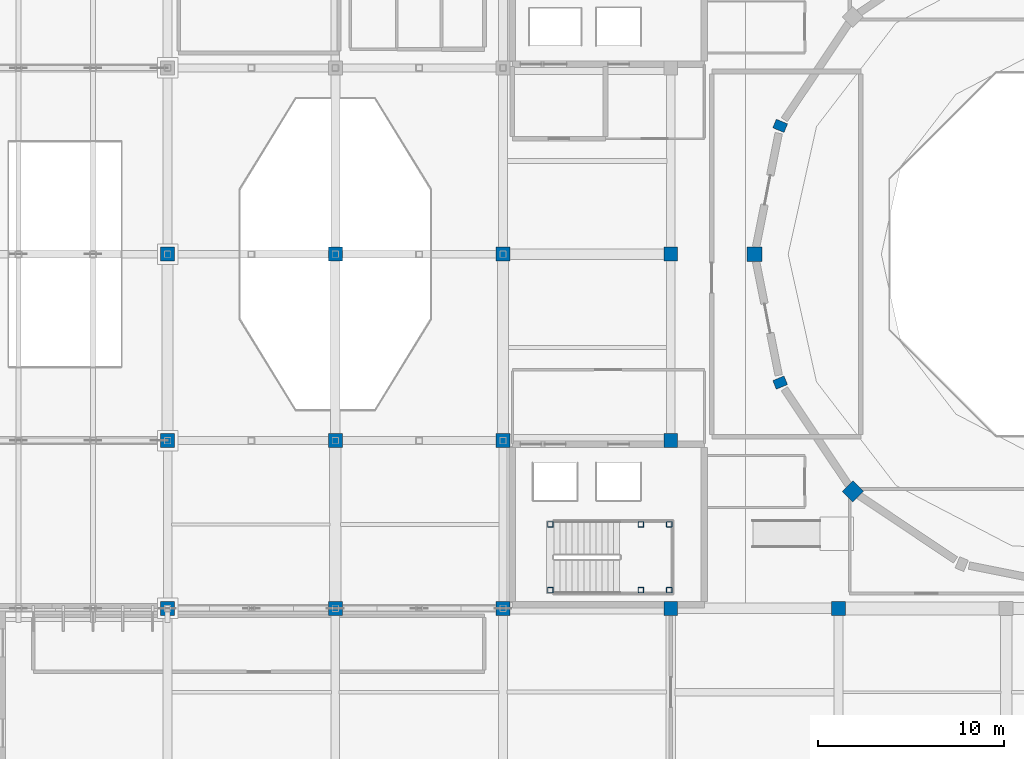
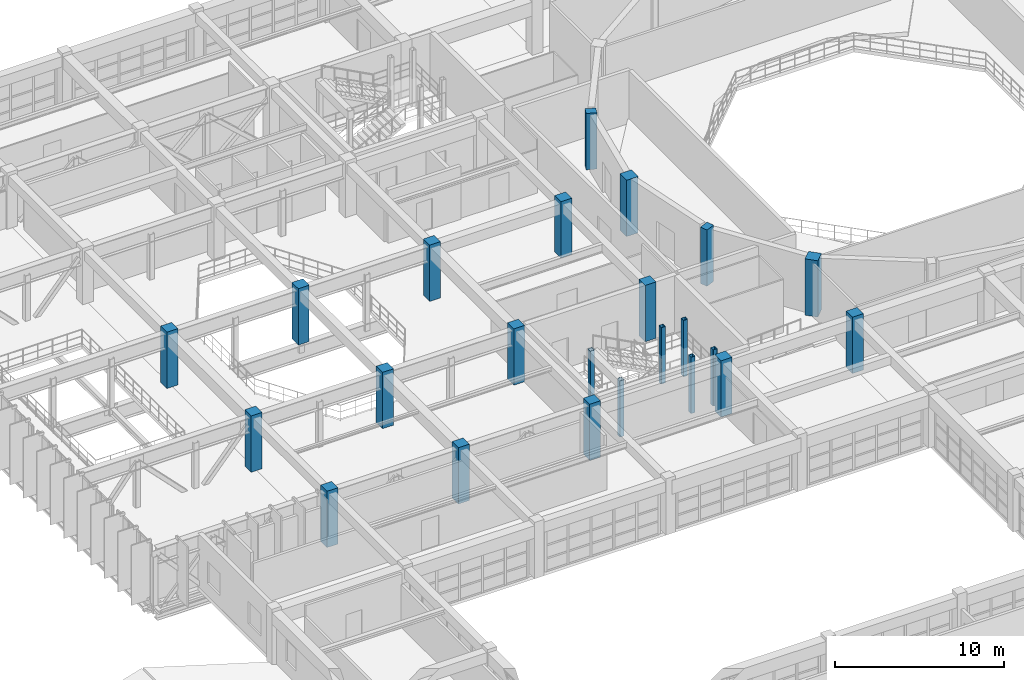
# One storey, part 3 of 130: 23 columns.
"""IFC4 building model written with IfcOpenShell, lengths in metres."""

from ifc_helpers import new_model, si_unit, direction, frame, origin, origin_2d, place, context, subcontext, project, spatial, rectangle, hollow_rectangle, extrude, material, material_profile, profile_set, type_object, element, save


model = new_model("IFC4")

# Units and contexts
model_context = context("Model", 3, precision=1e-05, world=origin(), true_north=direction((0.0, 1.0)))
body_context = subcontext(model_context, "Body", "Model", "MODEL_VIEW")
ifc_project = project(units=[si_unit("LENGTHUNIT", "METRE"), si_unit("AREAUNIT", "SQUARE_METRE"), si_unit("VOLUMEUNIT", "CUBIC_METRE"), si_unit("PLANEANGLEUNIT", "RADIAN"), si_unit("MASSUNIT", "GRAM", prefix="KILO")], contexts=[model_context])

# Site, building, storey
site_placement = place(None, origin())
site = spatial("IfcSite", under=ifc_project, at=site_placement, CompositionType="ELEMENT")
building_placement = place(site_placement, origin())
building = spatial("IfcBuilding", under=site, at=building_placement, Name="Miravela Opera House", CompositionType="ELEMENT")
storey_placement = place(building_placement, frame((0.0, 0.0, 9.52001953125)))
storey = spatial("IfcBuildingStorey", under=building, at=storey_placement, Name="L02", CompositionType="ELEMENT", Elevation=9.52001953125)

# Columns
ifc_material_1 = material(Name="Hollow structural steel ASTM A500 Gr. C", Category="steel")
ifc_material_profile_1 = material_profile(ifc_material_1, hollow_rectangle(XDim=0.300048828125, YDim=0.300048828125, WallThickness=0.01611328125, InnerFilletRadius=0.01611328125, OuterFilletRadius=0.031982421875, at=origin_2d()), Name="HSS300X300X16")
ifc_profile_set_1 = profile_set([ifc_material_profile_1])
column_type_1 = type_object("IfcColumnType", Name="STR-COL-HSS300", PredefinedType="COLUMN", material=ifc_profile_set_1)
for number, where, z_axis, x_axis, name in (
    (1, (47.5400390625, 37.97998046875, 0.0), (0.0, 0.0, 1.0), (1.0, 0.0, 0.0), "Stair K2 Landing Support Column 1 (L02)"),
    (2, (47.5400390625, 41.5, 0.0), (0.0, 0.0, 1.0), (1.0, 0.0, 0.0), "Stair K2 Landing Support Column 2 (L02)"),
    (3, (52.39990234375, 37.97998046875, 0.0), (0.0, 0.0, 1.0), (1.0, 0.0, 0.0), "Stair K2 Landing Support Column 3 (L02)"),
    (4, (52.39990234375, 41.5, 0.0), (0.0, 0.0, 1.0), (1.0, 0.0, 0.0), "Stair K2 Landing Support Column 4 (L02)"),
    (5, (53.919921875, 37.97998046875, 0.0), (0.0, 0.0, 1.0), (1.0, 0.0, 0.0), "Stair K2 Landing Support Column 5 (L02)"),
    (6, (53.919921875, 41.5, 0.0), (0.0, 0.0, 1.0), (1.0, 0.0, 0.0), "Stair K2 Landing Support Column 6 (L02)"),
):
    element("IfcColumn", number, at=place(storey_placement, frame(where, z_axis=z_axis, x_axis=x_axis)), inside=storey, type_object=column_type_1, Name=name, PredefinedType="COLUMN", context=body_context, shape_type="SweptSolid", body=[
        extrude(hollow_rectangle(XDim=0.300048828125, YDim=0.300048828125, WallThickness=0.01611328125, InnerFilletRadius=0.01611328125, OuterFilletRadius=0.031982421875, at=origin_2d()), origin(), (0.0, 0.0, 1.0), 4.080078125),
    ])
ifc_material_2 = material(Name="Concrete C35/45", Category="concrete")
ifc_material_profile_2 = material_profile(ifc_material_2, rectangle(XDim=0.75, YDim=0.75, at=origin_2d()), Name="RC-COL-750X750")
ifc_profile_set_2 = profile_set([ifc_material_profile_2])
column_type_2 = type_object("IfcColumnType", Name="STR-COL-RC750", PredefinedType="COLUMN", material=ifc_profile_set_2)
for number, where, z_axis, x_axis, name in (
    (7, (27.0, 37.0, 0.0), (0.0, 0.0, 1.0), (1.0, 0.0, 0.0), "Column C-4E (L02)"),
    (8, (27.0, 46.0, 0.0), (0.0, 0.0, 1.0), (1.0, 0.0, 0.0), "Column C-4F (L02)"),
    (9, (27.0, 56.0, 0.0), (0.0, 0.0, 1.0), (1.0, 0.0, 0.0), "Column C-4G (L02)"),
    (10, (36.0, 37.0, 0.0), (0.0, 0.0, 1.0), (1.0, 0.0, 0.0), "Column C-5E (L02)"),
    (11, (36.0, 46.0, 0.0), (0.0, 0.0, 1.0), (1.0, 0.0, 0.0), "Column C-5F (L02)"),
    (12, (36.0, 56.0, 0.0), (0.0, 0.0, 1.0), (1.0, 0.0, 0.0), "Column C-5G (L02)"),
    (13, (45.0, 37.0, 0.0), (0.0, 0.0, 1.0), (1.0, 0.0, 0.0), "Column C-6E (L02)"),
    (14, (45.0, 46.0, 0.0), (0.0, 0.0, 1.0), (1.0, 0.0, 0.0), "Column C-6F (L02)"),
    (15, (45.0, 56.0, 0.0), (0.0, 0.0, 1.0), (1.0, 0.0, 0.0), "Column C-6G (L02)"),
    (16, (54.0, 37.0, 0.0), (0.0, 0.0, 1.0), (1.0, 0.0, 0.0), "Column C-7E (L02)"),
    (17, (54.0, 46.0, 0.0), (0.0, 0.0, 1.0), (1.0, 0.0, 0.0), "Column C-7F (L02)"),
    (18, (54.0, 56.0, 0.0), (0.0, 0.0, 1.0), (1.0, 0.0, 0.0), "Column C-7G (L02)"),
    (19, (63.0, 37.0, 0.0), (0.0, 0.0, 1.0), (1.0, 0.0, 0.0), "Column C-8E (L02)"),
):
    element("IfcColumn", number, at=place(storey_placement, frame(where, z_axis=z_axis, x_axis=x_axis)), inside=storey, type_object=column_type_2, Name=name, PredefinedType="COLUMN", context=body_context, shape_type="SweptSolid", body=[
        extrude(rectangle(XDim=0.75, YDim=0.75, at=origin_2d()), origin(), (0.0, 0.0, 1.0), 4.080078125),
    ])
ifc_material_profile_3 = material_profile(ifc_material_2, rectangle(XDim=0.64990234375, YDim=0.5, at=origin_2d()), Name="RC-PIL-650X500")
ifc_profile_set_3 = profile_set([ifc_material_profile_3])
column_type_3 = type_object("IfcColumnType", Name="STR-PIL-RC650X500", PredefinedType="PILASTER", material=ifc_profile_set_3)
for number, where, z_axis, x_axis, name in (
    (20, (59.8701171875, 62.88818359375, 0.0), (0.0, 0.0, 1.0), (-0.923879532511, 0.382683432365, 0.0), "Auditorium Drum Column DC-08 (L02)"),
    (21, (59.8701171875, 49.11181640625, 0.0), (0.0, 0.0, 1.0), (-0.923879532511, -0.382683432365, 0.0), "Auditorium Drum Column DC-10 (L02)"),
):
    element("IfcColumn", number, at=place(storey_placement, frame(where, z_axis=z_axis, x_axis=x_axis)), inside=storey, type_object=column_type_3, Name=name, PredefinedType="PILASTER", context=body_context, shape_type="SweptSolid", body=[
        extrude(rectangle(XDim=0.64990234375, YDim=0.5, at=origin_2d()), origin(), (0.0, 0.0, 1.0), 4.080078125),
    ])
ifc_material_3 = material(Name="Concrete C40/50", Category="concrete")
ifc_material_profile_4 = material_profile(ifc_material_3, rectangle(XDim=0.800048828125, YDim=0.800048828125, at=origin_2d()), Name="RC-COL-800X800")
ifc_profile_set_4 = profile_set([ifc_material_profile_4])
column_type_4 = type_object("IfcColumnType", Name="STR-PIL-RC800", PredefinedType="PILASTER", material=ifc_profile_set_4)
for number, where, z_axis, x_axis, name in (
    (22, (58.5, 56.0, 0.0), (0.0, 0.0, 1.0), (-1.0, 0.0, 0.0), "Auditorium Drum Column DC-09 (L02)"),
    (23, (63.772216796875, 43.272216796875, 0.0), (0.0, 0.0, 1.0), (-0.707106781187, -0.707106781187, 0.0), "Auditorium Drum Column DC-11 (L02)"),
):
    element("IfcColumn", number, at=place(storey_placement, frame(where, z_axis=z_axis, x_axis=x_axis)), inside=storey, type_object=column_type_4, Name=name, PredefinedType="PILASTER", context=body_context, shape_type="SweptSolid", body=[
        extrude(rectangle(XDim=0.800048828125, YDim=0.800048828125, at=origin_2d()), origin(), (0.0, 0.0, 1.0), 4.080078125),
    ])

save(model, "model.ifc")
